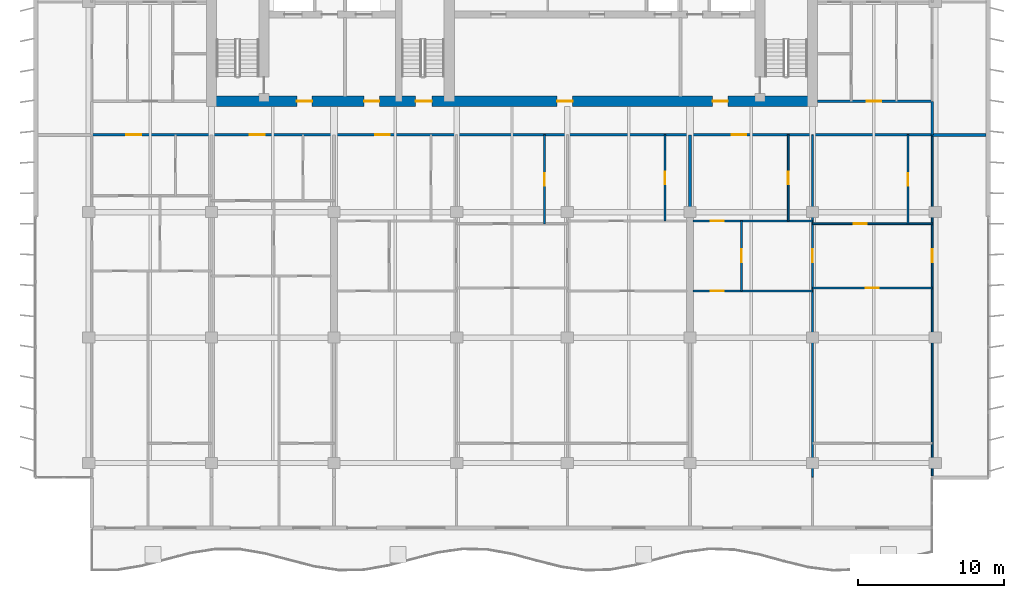
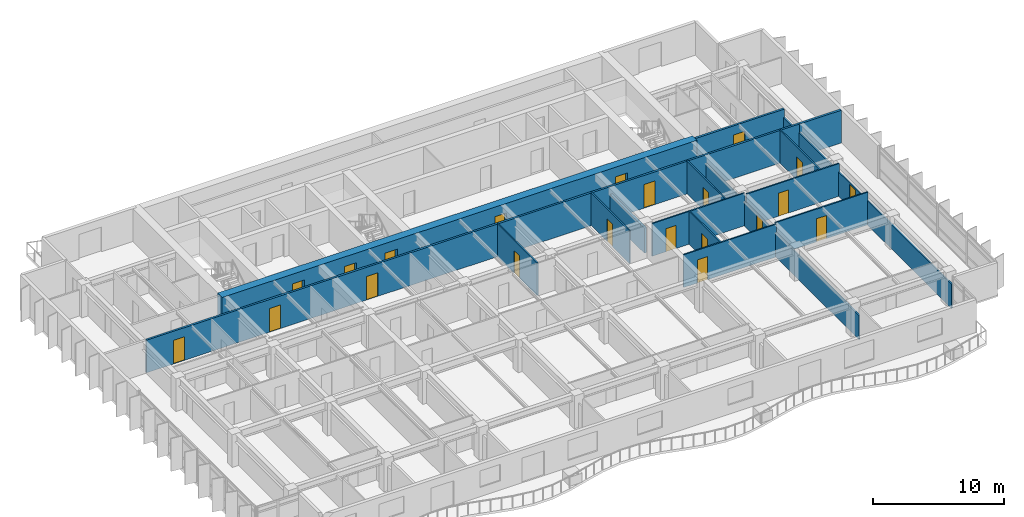
# One storey, part 9 of 16: 21 doors, 17 walls, 21 openings.
"""IFC4 building model written with IfcOpenShell, lengths in metres."""

from ifc_helpers import new_model, si_unit, direction, frame, frame_2d, origin, place, context, subcontext, project, spatial, rectangle, extrude, material, layer, layer_set, type_object, element, fill, save


model = new_model("IFC4")

# Units and contexts
model_context = context("Model", 3, precision=1e-05, world=origin(), true_north=direction((0.0, 1.0)))
body_context = subcontext(model_context, "Body", "Model", "MODEL_VIEW")
ifc_project = project(units=[si_unit("LENGTHUNIT", "METRE"), si_unit("AREAUNIT", "SQUARE_METRE"), si_unit("VOLUMEUNIT", "CUBIC_METRE"), si_unit("PLANEANGLEUNIT", "RADIAN"), si_unit("MASSUNIT", "GRAM", prefix="KILO")], contexts=[model_context])

# Site, building, storey
site_placement = place(None, origin())
site = spatial("IfcSite", under=ifc_project, at=site_placement, CompositionType="ELEMENT")
building_placement = place(site_placement, origin())
building = spatial("IfcBuilding", under=site, at=building_placement, Name="Caelmar Bay Residences", CompositionType="ELEMENT")
storey_placement = place(building_placement, frame((0.0, 0.0, 198.300048828125)))
storey = spatial("IfcBuildingStorey", under=building, at=storey_placement, Name="L55", CompositionType="ELEMENT", Elevation=198.300048828125)

# Wall, openings, doors
ifc_material_1 = material(Name="Concrete f'c 55 MPa (8,000 psi)", Category="concrete")
ifc_layer_1 = layer(ifc_material_1, 0.699951171875)
ifc_layer_set_1 = layer_set([ifc_layer_1], Name="Concrete f'c 55 MPa (8,000 psi)")
wall_type_1 = type_object("IfcWallType", Name="SW-COR-700", PredefinedType="SHEAR", material=ifc_layer_set_1)
wall_1_placement = place(storey_placement, frame((17.949951171875, 37.0, 0.0), z_axis=(0.0, 0.0, 1.0), x_axis=(1.0, 0.0, 0.0)))
wall_1 = element("IfcWall", 1, at=wall_1_placement, inside=storey, type_object=wall_type_1, Name="L55 Rear Core South Shear Wall", PredefinedType="SHEAR", context=body_context, shape_type="SweptSolid", body=[
    extrude(rectangle(XDim=41.900146484375, YDim=0.699951171875, at=frame_2d((20.9501953125, 0.0))), origin(), (0.0, 0.0, 1.0), 3.050048828125),
])
opening_1_placement = place(wall_1_placement, frame((14.35009765625, 0.0, 0.0)))
opening_1 = element("IfcOpeningElement", 2, at=opening_1_placement, cuts=wall_1, Name="Opening D-L55-105", PredefinedType="OPENING", context=body_context, shape_type="SweptSolid", body=[
    extrude(rectangle(XDim=1.10009765625, YDim=2.14990234375, at=frame_2d((0.550048828125, 1.074951171875))), frame((0.0, 0.35986328125, 0.0), z_axis=(0.0, -1.0, 0.0), x_axis=(1.0, 0.0, 0.0)), (0.0, 0.0, 1.0), 0.719970703125),
])
opening_2_placement = place(wall_1_placement, frame((6.199951171875, 0.0, 0.0)))
opening_2 = element("IfcOpeningElement", 3, at=opening_2_placement, cuts=wall_1, Name="Opening D-L55-106", PredefinedType="OPENING", context=body_context, shape_type="SweptSolid", body=[
    extrude(rectangle(XDim=1.050048828125, YDim=2.14990234375, at=frame_2d((0.52490234375, 1.074951171875))), frame((0.0, 0.35986328125, 0.0), z_axis=(0.0, -1.0, 0.0), x_axis=(1.0, 0.0, 0.0)), (0.0, 0.0, 1.0), 0.719970703125),
])
opening_3_placement = place(wall_1_placement, frame((34.699951171875, 0.0, 0.0)))
opening_3 = element("IfcOpeningElement", 4, at=opening_3_placement, cuts=wall_1, Name="Opening D-L55-109", PredefinedType="OPENING", context=body_context, shape_type="SweptSolid", body=[
    extrude(rectangle(XDim=1.050048828125, YDim=2.14990234375, at=frame_2d((0.52490234375, 1.074951171875))), frame((0.0, 0.35986328125, 0.0), z_axis=(0.0, -1.0, 0.0), x_axis=(1.0, 0.0, 0.0)), (0.0, 0.0, 1.0), 0.719970703125),
])
opening_4_placement = place(wall_1_placement, frame((10.8125, 0.0, 0.0)))
opening_4 = element("IfcOpeningElement", 5, at=opening_4_placement, cuts=wall_1, Name="Opening D-L55-112", PredefinedType="OPENING", context=body_context, shape_type="SweptSolid", body=[
    extrude(rectangle(XDim=1.050048828125, YDim=2.14990234375, at=frame_2d((0.52490234375, 1.074951171875))), frame((0.0, 0.35986328125, 0.0), z_axis=(0.0, -1.0, 0.0), x_axis=(1.0, 0.0, 0.0)), (0.0, 0.0, 1.0), 0.719970703125),
])
opening_5_placement = place(wall_1_placement, frame((24.050048828125, 0.0, 0.0)))
opening_5 = element("IfcOpeningElement", 6, at=opening_5_placement, cuts=wall_1, Name="Opening D-L55-113", PredefinedType="OPENING", context=body_context, shape_type="SweptSolid", body=[
    extrude(rectangle(XDim=1.050048828125, YDim=2.14990234375, at=frame_2d((0.52490234375, 1.074951171875))), frame((0.0, 0.35986328125, 0.0), z_axis=(0.0, -1.0, 0.0), x_axis=(1.0, 0.0, 0.0)), (0.0, 0.0, 1.0), 0.719970703125),
])
ifc_material_2 = material(Name="Fire-rated steel and walnut architectural door assembly", Category="steel")
ifc_layer_2 = layer(ifc_material_2, 0.050048828125)
ifc_layer_set_2 = layer_set([ifc_layer_2], Name="Fire-rated steel and walnut architectural door assembly")
door_type_1 = type_object("IfcDoorType", Name="D-FSAE-1050", OperationType="NOTDEFINED", PredefinedType="DOOR", material=ifc_layer_set_2)
door_1_placement = place(opening_2_placement, origin())
door_1 = element("IfcDoor", 7, at=door_1_placement, inside=storey, type_object=door_type_1, Name="L55 Firefighting Lobby West Door", OperationType="SINGLE_SWING_RIGHT", OverallHeight=2.14990234375, OverallWidth=1.050048828125, PredefinedType="DOOR", context=body_context, shape_type="SweptSolid", body=[
    extrude(rectangle(XDim=1.050048828125, YDim=2.14990234375, at=frame_2d((0.52490234375, 1.074951171875))), frame((0.0, 0.02490234375, 0.0), z_axis=(0.0, -1.0, 0.0), x_axis=(1.0, 0.0, 0.0)), (0.0, 0.0, 1.0), 0.050048828125),
])
fill(opening_2, door_1)
door_2_placement = place(opening_3_placement, origin())
door_2 = element("IfcDoor", 8, at=door_2_placement, inside=storey, type_object=door_type_1, Name="L55 Firefighting Lobby East Door", OperationType="SINGLE_SWING_LEFT", OverallHeight=2.14990234375, OverallWidth=1.050048828125, PredefinedType="DOOR", context=body_context, shape_type="SweptSolid", body=[
    extrude(rectangle(XDim=1.050048828125, YDim=2.14990234375, at=frame_2d((0.52490234375, 1.074951171875))), frame((0.0, 0.02490234375, 0.0), z_axis=(0.0, -1.0, 0.0), x_axis=(1.0, 0.0, 0.0)), (0.0, 0.0, 1.0), 0.050048828125),
])
fill(opening_3, door_2)
door_3_placement = place(opening_4_placement, origin())
door_3 = element("IfcDoor", 9, at=door_3_placement, inside=storey, type_object=door_type_1, Name="L55 West Lift Lobby Door", OperationType="SINGLE_SWING_RIGHT", OverallHeight=2.14990234375, OverallWidth=1.050048828125, PredefinedType="DOOR", context=body_context, shape_type="SweptSolid", body=[
    extrude(rectangle(XDim=1.050048828125, YDim=2.14990234375, at=frame_2d((0.52490234375, 1.074951171875))), frame((0.0, 0.02490234375, 0.0), z_axis=(0.0, -1.0, 0.0), x_axis=(1.0, 0.0, 0.0)), (0.0, 0.0, 1.0), 0.050048828125),
])
fill(opening_4, door_3)
door_4_placement = place(opening_5_placement, origin())
door_4 = element("IfcDoor", 10, at=door_4_placement, inside=storey, type_object=door_type_1, Name="L55 Passenger Lift Lobby Door", OperationType="SINGLE_SWING_LEFT", OverallHeight=2.14990234375, OverallWidth=1.050048828125, PredefinedType="DOOR", context=body_context, shape_type="SweptSolid", body=[
    extrude(rectangle(XDim=1.050048828125, YDim=2.14990234375, at=frame_2d((0.52490234375, 1.074951171875))), frame((0.0, 0.02490234375, 0.0), z_axis=(0.0, -1.0, 0.0), x_axis=(1.0, 0.0, 0.0)), (0.0, 0.0, 1.0), 0.050048828125),
])
fill(opening_5, door_4)
ifc_layer_3 = layer(ifc_material_2, 0.050048828125)
ifc_layer_set_3 = layer_set([ifc_layer_3], Name="Fire-rated steel and walnut architectural door assembly")
door_type_2 = type_object("IfcDoorType", Name="D-STAIR-1100", OperationType="NOTDEFINED", PredefinedType="DOOR", material=ifc_layer_set_3)
door_5_placement = place(opening_1_placement, origin())
door_5 = element("IfcDoor", 11, at=door_5_placement, inside=storey, type_object=door_type_2, Name="L55 Exit Stair ST3 Door", OperationType="SINGLE_SWING_LEFT", OverallHeight=2.14990234375, OverallWidth=1.10009765625, PredefinedType="DOOR", context=body_context, shape_type="SweptSolid", body=[
    extrude(rectangle(XDim=1.10009765625, YDim=2.14990234375, at=frame_2d((0.550048828125, 1.074951171875))), frame((0.0, 0.02490234375, 0.0), z_axis=(0.0, -1.0, 0.0), x_axis=(1.0, 0.0, 0.0)), (0.0, 0.0, 1.0), 0.050048828125),
])
fill(opening_1, door_5)

# Wall
ifc_material_3 = material(Name="Double-stud acoustic fire-rated gypsum partition 180 mm")
ifc_layer_4 = layer(ifc_material_3, 0.179931640625)
ifc_layer_set_4 = layer_set([ifc_layer_4], Name="Double-stud acoustic fire-rated gypsum partition 180 mm")
wall_type_2 = type_object("IfcWallType", Name="W-COR-200", PredefinedType="PARTITIONING", material=ifc_layer_set_4)
wall_2_placement = place(storey_placement, frame((67.699951171875, 34.705078125, 0.0), z_axis=(0.0, 0.0, 1.0), x_axis=(0.0, 1.0, 0.0)))
element("IfcWall", 12, at=wall_2_placement, inside=storey, type_object=wall_type_2, Name="L55 Partition Wall V050", PredefinedType="PARTITIONING", context=body_context, shape_type="SweptSolid", body=[
    extrude(rectangle(XDim=2.294921875, YDim=0.179931640625, at=frame_2d((1.1474609375, 0.0))), origin(), (0.0, 0.0, 1.0), 2.262939453125),
])

# Wall, openings, doors
wall_3_placement = place(storey_placement, frame((10.10498046875, 34.699951171875, 0.0), z_axis=(0.0, 0.0, 1.0), x_axis=(1.0, 0.0, 0.0)))
wall_3 = element("IfcWall", 13, at=wall_3_placement, inside=storey, type_object=wall_type_2, Name="L55 Partition Wall H072", PredefinedType="PARTITIONING", context=body_context, shape_type="SweptSolid", body=[
    extrude(rectangle(XDim=57.594970703125, YDim=0.179931640625, at=frame_2d((28.79736328125, 0.0))), origin(), (0.0, 0.0, 1.0), 3.050048828125),
])
opening_6_placement = place(wall_3_placement, frame((2.365478515625, 0.0, 0.0)))
opening_6 = element("IfcOpeningElement", 14, at=opening_6_placement, cuts=wall_3, Name="Opening D-L55-120", PredefinedType="OPENING", context=body_context, shape_type="SweptSolid", body=[
    extrude(rectangle(XDim=1.0, YDim=2.199951171875, at=frame_2d((0.5, 1.10009765625))), frame((0.0, 0.099853515625, 0.0), z_axis=(0.0, -1.0, 0.0), x_axis=(1.0, 0.0, 0.0)), (0.0, 0.0, 1.0), 0.199951171875),
])
opening_7_placement = place(wall_3_placement, frame((10.8330078125, 0.0, 0.0)))
opening_7 = element("IfcOpeningElement", 15, at=opening_7_placement, cuts=wall_3, Name="Opening D-L55-127", PredefinedType="OPENING", context=body_context, shape_type="SweptSolid", body=[
    extrude(rectangle(XDim=1.0, YDim=2.199951171875, at=frame_2d((0.5, 1.10009765625))), frame((0.0, 0.099853515625, 0.0), z_axis=(0.0, -1.0, 0.0), x_axis=(1.0, 0.0, 0.0)), (0.0, 0.0, 1.0), 0.199951171875),
])
opening_8_placement = place(wall_3_placement, frame((19.422119140625, 0.0, 0.0)))
opening_8 = element("IfcOpeningElement", 16, at=opening_8_placement, cuts=wall_3, Name="Opening D-L55-134", PredefinedType="OPENING", context=body_context, shape_type="SweptSolid", body=[
    extrude(rectangle(XDim=1.0, YDim=2.199951171875, at=frame_2d((0.5, 1.10009765625))), frame((0.0, 0.099853515625, 0.0), z_axis=(0.0, -1.0, 0.0), x_axis=(1.0, 0.0, 0.0)), (0.0, 0.0, 1.0), 0.199951171875),
])
opening_9_placement = place(wall_3_placement, frame((43.864501953125, 0.0, 0.0)))
opening_9 = element("IfcOpeningElement", 17, at=opening_9_placement, cuts=wall_3, Name="Opening D-L55-149", PredefinedType="OPENING", context=body_context, shape_type="SweptSolid", body=[
    extrude(rectangle(XDim=1.0, YDim=2.199951171875, at=frame_2d((0.5, 1.10009765625))), frame((0.0, 0.099853515625, 0.0), z_axis=(0.0, -1.0, 0.0), x_axis=(1.0, 0.0, 0.0)), (0.0, 0.0, 1.0), 0.199951171875),
])
ifc_layer_5 = layer(ifc_material_2, 0.050048828125)
ifc_layer_set_5 = layer_set([ifc_layer_5], Name="Fire-rated steel and walnut architectural door assembly")
door_type_3 = type_object("IfcDoorType", Name="D-UNIT-1000", OperationType="NOTDEFINED", PredefinedType="DOOR", material=ifc_layer_set_5)
door_6_placement = place(opening_6_placement, origin())
door_6 = element("IfcDoor", 18, at=door_6_placement, inside=storey, type_object=door_type_3, Name="L55 Residence 01 Apartment Hall Door", OperationType="SINGLE_SWING_RIGHT", OverallHeight=2.199951171875, OverallWidth=1.0, PredefinedType="DOOR", context=body_context, shape_type="SweptSolid", body=[
    extrude(rectangle(XDim=1.0, YDim=2.199951171875, at=frame_2d((0.5, 1.10009765625))), frame((0.0, 0.02490234375, 0.0), z_axis=(0.0, -1.0, 0.0), x_axis=(1.0, 0.0, 0.0)), (0.0, 0.0, 1.0), 0.050048828125),
])
fill(opening_6, door_6)
door_7_placement = place(opening_7_placement, origin())
door_7 = element("IfcDoor", 19, at=door_7_placement, inside=storey, type_object=door_type_3, Name="L55 Residence 02 Apartment Hall Door", OperationType="SINGLE_SWING_LEFT", OverallHeight=2.199951171875, OverallWidth=1.0, PredefinedType="DOOR", context=body_context, shape_type="SweptSolid", body=[
    extrude(rectangle(XDim=1.0, YDim=2.199951171875, at=frame_2d((0.5, 1.10009765625))), frame((0.0, 0.02490234375, 0.0), z_axis=(0.0, -1.0, 0.0), x_axis=(1.0, 0.0, 0.0)), (0.0, 0.0, 1.0), 0.050048828125),
])
fill(opening_7, door_7)
door_8_placement = place(opening_8_placement, origin())
door_8 = element("IfcDoor", 20, at=door_8_placement, inside=storey, type_object=door_type_3, Name="L55 Residence 03 Apartment Hall Door", OperationType="SINGLE_SWING_RIGHT", OverallHeight=2.199951171875, OverallWidth=1.0, PredefinedType="DOOR", context=body_context, shape_type="SweptSolid", body=[
    extrude(rectangle(XDim=1.0, YDim=2.199951171875, at=frame_2d((0.5, 1.10009765625))), frame((0.0, 0.02490234375, 0.0), z_axis=(0.0, -1.0, 0.0), x_axis=(1.0, 0.0, 0.0)), (0.0, 0.0, 1.0), 0.050048828125),
])
fill(opening_8, door_8)
door_9_placement = place(opening_9_placement, origin())
door_9 = element("IfcDoor", 21, at=door_9_placement, inside=storey, type_object=door_type_3, Name="L55 Residence 04 Apartment Hall Door", OperationType="SINGLE_SWING_LEFT", OverallHeight=2.199951171875, OverallWidth=1.0, PredefinedType="DOOR", context=body_context, shape_type="SweptSolid", body=[
    extrude(rectangle(XDim=1.0, YDim=2.199951171875, at=frame_2d((0.5, 1.10009765625))), frame((0.0, 0.02490234375, 0.0), z_axis=(0.0, -1.0, 0.0), x_axis=(1.0, 0.0, 0.0)), (0.0, 0.0, 1.0), 0.050048828125),
])
fill(opening_9, door_9)

# Wall, opening, door
wall_4_placement = place(storey_placement, frame((59.85498046875, 37.0, 0.0), z_axis=(0.0, 0.0, 1.0), x_axis=(1.0, 0.0, 0.0)))
wall_4 = element("IfcWall", 22, at=wall_4_placement, inside=storey, type_object=wall_type_2, Name="L55 Partition Wall H075", PredefinedType="PARTITIONING", context=body_context, shape_type="SweptSolid", body=[
    extrude(rectangle(XDim=7.844970703125, YDim=0.179931640625, at=frame_2d((3.92236328125, 0.0))), origin(), (0.0, 0.0, 1.0), 3.050048828125),
])
opening_10_placement = place(wall_4_placement, frame((3.34912109375, 0.0, 0.0)))
opening_10 = element("IfcOpeningElement", 23, at=opening_10_placement, cuts=wall_4, Name="Opening D-L55-169", PredefinedType="OPENING", context=body_context, shape_type="SweptSolid", body=[
    extrude(rectangle(XDim=1.0, YDim=2.199951171875, at=frame_2d((0.5, 1.10009765625))), frame((0.0, 0.099853515625, 0.0), z_axis=(0.0, -1.0, 0.0), x_axis=(1.0, 0.0, 0.0)), (0.0, 0.0, 1.0), 0.199951171875),
])
door_10_placement = place(opening_10_placement, origin())
door_10 = element("IfcDoor", 24, at=door_10_placement, inside=storey, type_object=door_type_3, Name="L55 Residence EA Kitchen Door", OperationType="SINGLE_SWING_LEFT", OverallHeight=2.199951171875, OverallWidth=1.0, PredefinedType="DOOR", context=body_context, shape_type="SweptSolid", body=[
    extrude(rectangle(XDim=1.0, YDim=2.199951171875, at=frame_2d((0.5, 1.10009765625))), frame((0.0, 0.02490234375, 0.0), z_axis=(0.0, -1.0, 0.0), x_axis=(1.0, 0.0, 0.0)), (0.0, 0.0, 1.0), 0.050048828125),
])
fill(opening_10, door_10)

ifc_material_4 = material(Name="Acoustic metal-stud gypsum partition 120 mm")
ifc_layer_6 = layer(ifc_material_4, 0.1201171875)
ifc_layer_set_6 = layer_set([ifc_layer_6], Name="Acoustic metal-stud gypsum partition 120 mm")
wall_type_3 = type_object("IfcWallType", Name="W-PRT-120", PredefinedType="PARTITIONING", material=ifc_layer_set_6)
wall_5_placement = place(storey_placement, frame((41.1259765625, 28.60009765625, 0.0), z_axis=(0.0, 0.0, 1.0), x_axis=(0.0, 1.0, 0.0)))
wall_5 = element("IfcWall", 25, at=wall_5_placement, inside=storey, type_object=wall_type_3, Name="L55 Partition Wall V029", PredefinedType="PARTITIONING", context=body_context, shape_type="SweptSolid", body=[
    extrude(rectangle(XDim=6.099853515625, YDim=0.1201171875, at=frame_2d((3.0498046875, 0.0))), origin(), (0.0, 0.0, 1.0), 3.050048828125),
])
opening_11_placement = place(wall_5_placement, frame((2.625, 0.0, 0.0)))
opening_11 = element("IfcOpeningElement", 26, at=opening_11_placement, cuts=wall_5, Name="Opening D-L55-141", PredefinedType="OPENING", context=body_context, shape_type="SweptSolid", body=[
    extrude(rectangle(XDim=0.85009765625, YDim=2.10009765625, at=frame_2d((0.425048828125, 1.050048828125))), frame((0.0, 0.070068359375, 0.0), z_axis=(0.0, -1.0, 0.0), x_axis=(1.0, 0.0, 0.0)), (0.0, 0.0, 1.0), 0.14013671875),
])
ifc_material_5 = material(Name="Solid walnut timber interior door leaf and frame", Category="wood")
ifc_layer_7 = layer(ifc_material_5, 0.050048828125)
ifc_layer_set_7 = layer_set([ifc_layer_7], Name="Solid walnut timber interior door leaf and frame")
door_type_4 = type_object("IfcDoorType", Name="D-BATH-850", OperationType="NOTDEFINED", PredefinedType="DOOR", material=ifc_layer_set_7)
door_11_placement = place(opening_11_placement, origin())
door_11 = element("IfcDoor", 27, at=door_11_placement, inside=storey, type_object=door_type_4, Name="L55 Residence 03 En-Suite Bathroom 1 Door", OperationType="SINGLE_SWING_LEFT", OverallHeight=2.10009765625, OverallWidth=0.85009765625, PredefinedType="DOOR", context=body_context, shape_type="SweptSolid", body=[
    extrude(rectangle(XDim=0.85009765625, YDim=2.10009765625, at=frame_2d((0.425048828125, 1.050048828125))), frame((0.0, 0.02490234375, 0.0), z_axis=(0.0, -1.0, 0.0), x_axis=(1.0, 0.0, 0.0)), (0.0, 0.0, 1.0), 0.050048828125),
])
fill(opening_11, door_11)

wall_6_placement = place(storey_placement, frame((49.387939453125, 28.800048828125, 0.0), z_axis=(0.0, 0.0, 1.0), x_axis=(0.0, 1.0, 0.0)))
wall_6 = element("IfcWall", 28, at=wall_6_placement, inside=storey, type_object=wall_type_3, Name="L55 Partition Wall V034", PredefinedType="PARTITIONING", context=body_context, shape_type="SweptSolid", body=[
    extrude(rectangle(XDim=5.89990234375, YDim=0.1201171875, at=frame_2d((2.949951171875, 0.0))), origin(), (0.0, 0.0, 1.0), 3.050048828125),
])
opening_12_placement = place(wall_6_placement, frame((2.52490234375, 0.0, 0.0)))
opening_12 = element("IfcOpeningElement", 29, at=opening_12_placement, cuts=wall_6, Name="Opening D-L55-146", PredefinedType="OPENING", context=body_context, shape_type="SweptSolid", body=[
    extrude(rectangle(XDim=0.85009765625, YDim=2.10009765625, at=frame_2d((0.425048828125, 1.050048828125))), frame((0.0, 0.070068359375, 0.0), z_axis=(0.0, -1.0, 0.0), x_axis=(1.0, 0.0, 0.0)), (0.0, 0.0, 1.0), 0.14013671875),
])
door_12_placement = place(opening_12_placement, origin())
door_12 = element("IfcDoor", 30, at=door_12_placement, inside=storey, type_object=door_type_4, Name="L55 Residence 03 En-Suite Bathroom 2 Door", OperationType="SINGLE_SWING_RIGHT", OverallHeight=2.10009765625, OverallWidth=0.85009765625, PredefinedType="DOOR", context=body_context, shape_type="SweptSolid", body=[
    extrude(rectangle(XDim=0.85009765625, YDim=2.10009765625, at=frame_2d((0.425048828125, 1.050048828125))), frame((0.0, 0.02490234375, 0.0), z_axis=(0.0, -1.0, 0.0), x_axis=(1.0, 0.0, 0.0)), (0.0, 0.0, 1.0), 0.050048828125),
])
fill(opening_12, door_12)

wall_7_placement = place(storey_placement, frame((54.6279296875, 24.0, 0.0), z_axis=(0.0, 0.0, 1.0), x_axis=(0.0, 1.0, 0.0)))
wall_7 = element("IfcWall", 31, at=wall_7_placement, inside=storey, type_object=wall_type_3, Name="L55 Partition Wall V041", PredefinedType="PARTITIONING", context=body_context, shape_type="SweptSolid", body=[
    extrude(rectangle(XDim=4.800048828125, YDim=0.1201171875, at=frame_2d((2.39990234375, 0.0))), origin(), (0.0, 0.0, 1.0), 3.050048828125),
])
opening_13_placement = place(wall_7_placement, frame((1.949951171875, 0.0, 0.0)))
opening_13 = element("IfcOpeningElement", 32, at=opening_13_placement, cuts=wall_7, Name="Opening D-L55-152", PredefinedType="OPENING", context=body_context, shape_type="SweptSolid", body=[
    extrude(rectangle(XDim=0.89990234375, YDim=2.14990234375, at=frame_2d((0.449951171875, 1.074951171875))), frame((0.0, 0.070068359375, 0.0), z_axis=(0.0, -1.0, 0.0), x_axis=(1.0, 0.0, 0.0)), (0.0, 0.0, 1.0), 0.14013671875),
])
ifc_layer_8 = layer(ifc_material_5, 0.050048828125)
ifc_layer_set_8 = layer_set([ifc_layer_8], Name="Solid walnut timber interior door leaf and frame")
door_type_5 = type_object("IfcDoorType", Name="D-ROOM-900", OperationType="NOTDEFINED", PredefinedType="DOOR", material=ifc_layer_set_8)
door_13_placement = place(opening_13_placement, origin())
door_13 = element("IfcDoor", 33, at=door_13_placement, inside=storey, type_object=door_type_5, Name="L55 Residence 04 Kitchen Door", OperationType="SINGLE_SWING_RIGHT", OverallHeight=2.14990234375, OverallWidth=0.89990234375, PredefinedType="DOOR", context=body_context, shape_type="SweptSolid", body=[
    extrude(rectangle(XDim=0.89990234375, YDim=2.14990234375, at=frame_2d((0.449951171875, 1.074951171875))), frame((0.0, 0.02490234375, 0.0), z_axis=(0.0, -1.0, 0.0), x_axis=(1.0, 0.0, 0.0)), (0.0, 0.0, 1.0), 0.050048828125),
])
fill(opening_13, door_13)

wall_8_placement = place(storey_placement, frame((57.839111328125, 28.800048828125, 0.0), z_axis=(0.0, 0.0, 1.0), x_axis=(0.0, 1.0, 0.0)))
wall_8 = element("IfcWall", 34, at=wall_8_placement, inside=storey, type_object=wall_type_3, Name="L55 Partition Wall V043", PredefinedType="PARTITIONING", context=body_context, shape_type="SweptSolid", body=[
    extrude(rectangle(XDim=5.89990234375, YDim=0.1201171875, at=frame_2d((2.949951171875, 0.0))), origin(), (0.0, 0.0, 1.0), 3.050048828125),
])
opening_14_placement = place(wall_8_placement, frame((2.52490234375, 0.0, 0.0)))
opening_14 = element("IfcOpeningElement", 35, at=opening_14_placement, cuts=wall_8, Name="Opening D-L55-150", PredefinedType="OPENING", context=body_context, shape_type="SweptSolid", body=[
    extrude(rectangle(XDim=0.85009765625, YDim=2.10009765625, at=frame_2d((0.425048828125, 1.050048828125))), frame((0.0, 0.070068359375, 0.0), z_axis=(0.0, -1.0, 0.0), x_axis=(1.0, 0.0, 0.0)), (0.0, 0.0, 1.0), 0.14013671875),
])
door_14_placement = place(opening_14_placement, origin())
door_14 = element("IfcDoor", 36, at=door_14_placement, inside=storey, type_object=door_type_4, Name="L55 Residence 04 Guest Bathroom Door", OperationType="SINGLE_SWING_RIGHT", OverallHeight=2.10009765625, OverallWidth=0.85009765625, PredefinedType="DOOR", context=body_context, shape_type="SweptSolid", body=[
    extrude(rectangle(XDim=0.85009765625, YDim=2.10009765625, at=frame_2d((0.425048828125, 1.050048828125))), frame((0.0, 0.02490234375, 0.0), z_axis=(0.0, -1.0, 0.0), x_axis=(1.0, 0.0, 0.0)), (0.0, 0.0, 1.0), 0.050048828125),
])
fill(opening_14, door_14)

wall_9_placement = place(storey_placement, frame((59.5, 11.239990234375, 0.0), z_axis=(0.0, 0.0, 1.0), x_axis=(0.0, 1.0, 0.0)))
wall_9 = element("IfcWall", 37, at=wall_9_placement, inside=storey, type_object=wall_type_3, Name="L55 Partition Wall V045", PredefinedType="PARTITIONING", context=body_context, shape_type="SweptSolid", body=[
    extrude(rectangle(XDim=23.4599609375, YDim=0.1201171875, at=frame_2d((11.72998046875, 0.0))), origin(), (0.0, 0.0, 1.0), 2.262939453125),
])
opening_15_placement = place(wall_9_placement, frame((14.7099609375, 0.0, 0.0)))
opening_15 = element("IfcOpeningElement", 38, at=opening_15_placement, cuts=wall_9, Name="Opening D-L55-154", PredefinedType="OPENING", context=body_context, shape_type="SweptSolid", body=[
    extrude(rectangle(XDim=0.89990234375, YDim=2.14990234375, at=frame_2d((0.449951171875, 1.074951171875))), frame((0.0, 0.070068359375, 0.0), z_axis=(0.0, -1.0, 0.0), x_axis=(1.0, 0.0, 0.0)), (0.0, 0.0, 1.0), 0.14013671875),
])
door_15_placement = place(opening_15_placement, origin())
door_15 = element("IfcDoor", 39, at=door_15_placement, inside=storey, type_object=door_type_5, Name="L55 Residence 04 Family Room 1 Door", OperationType="SINGLE_SWING_RIGHT", OverallHeight=2.14990234375, OverallWidth=0.89990234375, PredefinedType="DOOR", context=body_context, shape_type="SweptSolid", body=[
    extrude(rectangle(XDim=0.89990234375, YDim=2.14990234375, at=frame_2d((0.449951171875, 1.074951171875))), frame((0.0, 0.02490234375, 0.0), z_axis=(0.0, -1.0, 0.0), x_axis=(1.0, 0.0, 0.0)), (0.0, 0.0, 1.0), 0.050048828125),
])
fill(opening_15, door_15)

wall_10_placement = place(storey_placement, frame((66.0439453125, 28.60009765625, 0.0), z_axis=(0.0, 0.0, 1.0), x_axis=(0.0, 1.0, 0.0)))
wall_10 = element("IfcWall", 40, at=wall_10_placement, inside=storey, type_object=wall_type_3, Name="L55 Partition Wall V048", PredefinedType="PARTITIONING", context=body_context, shape_type="SweptSolid", body=[
    extrude(rectangle(XDim=6.099853515625, YDim=0.1201171875, at=frame_2d((3.0498046875, 0.0))), origin(), (0.0, 0.0, 1.0), 3.050048828125),
])
opening_16_placement = place(wall_10_placement, frame((2.625, 0.0, 0.0)))
opening_16 = element("IfcOpeningElement", 41, at=opening_16_placement, cuts=wall_10, Name="Opening D-L55-156", PredefinedType="OPENING", context=body_context, shape_type="SweptSolid", body=[
    extrude(rectangle(XDim=0.85009765625, YDim=2.10009765625, at=frame_2d((0.425048828125, 1.050048828125))), frame((0.0, 0.070068359375, 0.0), z_axis=(0.0, -1.0, 0.0), x_axis=(1.0, 0.0, 0.0)), (0.0, 0.0, 1.0), 0.14013671875),
])
door_16_placement = place(opening_16_placement, origin())
door_16 = element("IfcDoor", 42, at=door_16_placement, inside=storey, type_object=door_type_4, Name="L55 Residence 04 En-Suite Bathroom 1 Door", OperationType="SINGLE_SWING_RIGHT", OverallHeight=2.10009765625, OverallWidth=0.85009765625, PredefinedType="DOOR", context=body_context, shape_type="SweptSolid", body=[
    extrude(rectangle(XDim=0.85009765625, YDim=2.10009765625, at=frame_2d((0.425048828125, 1.050048828125))), frame((0.0, 0.02490234375, 0.0), z_axis=(0.0, -1.0, 0.0), x_axis=(1.0, 0.0, 0.0)), (0.0, 0.0, 1.0), 0.050048828125),
])
fill(opening_16, door_16)

wall_11_placement = place(storey_placement, frame((67.699951171875, 11.320068359375, 0.0), z_axis=(0.0, 0.0, 1.0), x_axis=(0.0, 1.0, 0.0)))
wall_11 = element("IfcWall", 43, at=wall_11_placement, inside=storey, type_object=wall_type_3, Name="L55 Partition Wall V049", PredefinedType="PARTITIONING", context=body_context, shape_type="SweptSolid", body=[
    extrude(rectangle(XDim=23.3798828125, YDim=0.1201171875, at=frame_2d((11.68994140625, 0.0))), origin(), (0.0, 0.0, 1.0), 2.262939453125),
])
opening_17_placement = place(wall_11_placement, frame((14.6298828125, 0.0, 0.0)))
opening_17 = element("IfcOpeningElement", 44, at=opening_17_placement, cuts=wall_11, Name="Opening D-L55-160", PredefinedType="OPENING", context=body_context, shape_type="SweptSolid", body=[
    extrude(rectangle(XDim=0.89990234375, YDim=2.14990234375, at=frame_2d((0.449951171875, 1.074951171875))), frame((0.0, 0.070068359375, 0.0), z_axis=(0.0, -1.0, 0.0), x_axis=(1.0, 0.0, 0.0)), (0.0, 0.0, 1.0), 0.14013671875),
])
door_17_placement = place(opening_17_placement, origin())
door_17 = element("IfcDoor", 45, at=door_17_placement, inside=storey, type_object=door_type_5, Name="L55 Residence 04 Penthouse East Salon Door", OperationType="SINGLE_SWING_RIGHT", OverallHeight=2.14990234375, OverallWidth=0.89990234375, PredefinedType="DOOR", context=body_context, shape_type="SweptSolid", body=[
    extrude(rectangle(XDim=0.89990234375, YDim=2.14990234375, at=frame_2d((0.449951171875, 1.074951171875))), frame((0.0, 0.02490234375, 0.0), z_axis=(0.0, -1.0, 0.0), x_axis=(1.0, 0.0, 0.0)), (0.0, 0.0, 1.0), 0.050048828125),
])
fill(opening_17, door_17)

wall_12_placement = place(storey_placement, frame((51.320068359375, 24.0, 0.0), z_axis=(0.0, 0.0, 1.0), x_axis=(1.0, 0.0, 0.0)))
wall_12 = element("IfcWall", 46, at=wall_12_placement, inside=storey, type_object=wall_type_3, Name="L55 Partition Wall H059", PredefinedType="PARTITIONING", context=body_context, shape_type="SweptSolid", body=[
    extrude(rectangle(XDim=8.179931640625, YDim=0.1201171875, at=frame_2d((4.08984375, 0.0))), origin(), (0.0, 0.0, 1.0), 3.050048828125),
])
opening_18_placement = place(wall_12_placement, frame((1.2041015625, 0.0, 0.0)))
opening_18 = element("IfcOpeningElement", 47, at=opening_18_placement, cuts=wall_12, Name="Opening D-L55-153", PredefinedType="OPENING", context=body_context, shape_type="SweptSolid", body=[
    extrude(rectangle(XDim=0.89990234375, YDim=2.14990234375, at=frame_2d((0.449951171875, 1.074951171875))), frame((0.0, 0.070068359375, 0.0), z_axis=(0.0, -1.0, 0.0), x_axis=(1.0, 0.0, 0.0)), (0.0, 0.0, 1.0), 0.14013671875),
])
door_18_placement = place(opening_18_placement, origin())
door_18 = element("IfcDoor", 48, at=door_18_placement, inside=storey, type_object=door_type_5, Name="L55 Residence 04 Penthouse Living Salon Door", OperationType="SINGLE_SWING_LEFT", OverallHeight=2.14990234375, OverallWidth=0.89990234375, PredefinedType="DOOR", context=body_context, shape_type="SweptSolid", body=[
    extrude(rectangle(XDim=0.89990234375, YDim=2.14990234375, at=frame_2d((0.449951171875, 1.074951171875))), frame((0.0, 0.02490234375, 0.0), z_axis=(0.0, -1.0, 0.0), x_axis=(1.0, 0.0, 0.0)), (0.0, 0.0, 1.0), 0.050048828125),
])
fill(opening_18, door_18)

wall_13_placement = place(storey_placement, frame((59.5048828125, 24.199951171875, 0.0), z_axis=(0.0, 0.0, 1.0), x_axis=(1.0, 0.0, 0.0)))
wall_13 = element("IfcWall", 49, at=wall_13_placement, inside=storey, type_object=wall_type_3, Name="L55 Partition Wall H061", PredefinedType="PARTITIONING", context=body_context, shape_type="SweptSolid", body=[
    extrude(rectangle(XDim=8.195068359375, YDim=0.1201171875, at=frame_2d((4.09765625, 0.0))), origin(), (0.0, 0.0, 1.0), 3.050048828125),
])
opening_19_placement = place(wall_13_placement, frame((3.6474609375, 0.0, 0.0)))
opening_19 = element("IfcOpeningElement", 50, at=opening_19_placement, cuts=wall_13, Name="Opening D-L55-157", PredefinedType="OPENING", context=body_context, shape_type="SweptSolid", body=[
    extrude(rectangle(XDim=0.89990234375, YDim=2.14990234375, at=frame_2d((0.449951171875, 1.074951171875))), frame((0.0, 0.070068359375, 0.0), z_axis=(0.0, -1.0, 0.0), x_axis=(1.0, 0.0, 0.0)), (0.0, 0.0, 1.0), 0.14013671875),
])
door_19_placement = place(opening_19_placement, origin())
door_19 = element("IfcDoor", 51, at=door_19_placement, inside=storey, type_object=door_type_5, Name="L55 Residence 04 Penthouse Sitting Salon 1 Door", OperationType="SINGLE_SWING_LEFT", OverallHeight=2.14990234375, OverallWidth=0.89990234375, PredefinedType="DOOR", context=body_context, shape_type="SweptSolid", body=[
    extrude(rectangle(XDim=0.89990234375, YDim=2.14990234375, at=frame_2d((0.449951171875, 1.074951171875))), frame((0.0, 0.02490234375, 0.0), z_axis=(0.0, -1.0, 0.0), x_axis=(1.0, 0.0, 0.0)), (0.0, 0.0, 1.0), 0.050048828125),
])
fill(opening_19, door_19)

wall_14_placement = place(storey_placement, frame((59.5, 28.60009765625, 0.0), z_axis=(0.0, 0.0, 1.0), x_axis=(1.0, 0.0, 0.0)))
wall_14 = element("IfcWall", 52, at=wall_14_placement, inside=storey, type_object=wall_type_3, Name="L55 Partition Wall H065", PredefinedType="PARTITIONING", context=body_context, shape_type="SweptSolid", body=[
    extrude(rectangle(XDim=8.199951171875, YDim=0.1201171875, at=frame_2d((4.10009765625, 0.0))), origin(), (0.0, 0.0, 1.0), 3.050048828125),
])
opening_20_placement = place(wall_14_placement, frame((2.822021484375, 0.0, 0.0)))
opening_20 = element("IfcOpeningElement", 53, at=opening_20_placement, cuts=wall_14, Name="Opening D-L55-155", PredefinedType="OPENING", context=body_context, shape_type="SweptSolid", body=[
    extrude(rectangle(XDim=0.89990234375, YDim=2.14990234375, at=frame_2d((0.449951171875, 1.074951171875))), frame((0.0, 0.070068359375, 0.0), z_axis=(0.0, -1.0, 0.0), x_axis=(1.0, 0.0, 0.0)), (0.0, 0.0, 1.0), 0.14013671875),
])
door_20_placement = place(opening_20_placement, origin())
door_20 = element("IfcDoor", 54, at=door_20_placement, inside=storey, type_object=door_type_5, Name="L55 Residence 04 Sitting Room 1 Door", OperationType="SINGLE_SWING_LEFT", OverallHeight=2.14990234375, OverallWidth=0.89990234375, PredefinedType="DOOR", context=body_context, shape_type="SweptSolid", body=[
    extrude(rectangle(XDim=0.89990234375, YDim=2.14990234375, at=frame_2d((0.449951171875, 1.074951171875))), frame((0.0, 0.02490234375, 0.0), z_axis=(0.0, -1.0, 0.0), x_axis=(1.0, 0.0, 0.0)), (0.0, 0.0, 1.0), 0.050048828125),
])
fill(opening_20, door_20)

wall_15_placement = place(storey_placement, frame((51.320068359375, 28.800048828125, 0.0), z_axis=(0.0, 0.0, 1.0), x_axis=(1.0, 0.0, 0.0)))
wall_15 = element("IfcWall", 55, at=wall_15_placement, inside=storey, type_object=wall_type_3, Name="L55 Partition Wall H068", PredefinedType="PARTITIONING", context=body_context, shape_type="SweptSolid", body=[
    extrude(rectangle(XDim=8.175048828125, YDim=0.1201171875, at=frame_2d((4.08740234375, 0.0))), origin(), (0.0, 0.0, 1.0), 3.050048828125),
])
opening_21_placement = place(wall_15_placement, frame((1.2041015625, 0.0, 0.0)))
opening_21 = element("IfcOpeningElement", 56, at=opening_21_placement, cuts=wall_15, Name="Opening D-L55-151", PredefinedType="OPENING", context=body_context, shape_type="SweptSolid", body=[
    extrude(rectangle(XDim=0.89990234375, YDim=2.14990234375, at=frame_2d((0.449951171875, 1.074951171875))), frame((0.0, 0.070068359375, 0.0), z_axis=(0.0, -1.0, 0.0), x_axis=(1.0, 0.0, 0.0)), (0.0, 0.0, 1.0), 0.14013671875),
])
door_21_placement = place(opening_21_placement, origin())
door_21 = element("IfcDoor", 57, at=door_21_placement, inside=storey, type_object=door_type_5, Name="L55 Residence 04 Dining Room Door", OperationType="SINGLE_SWING_LEFT", OverallHeight=2.14990234375, OverallWidth=0.89990234375, PredefinedType="DOOR", context=body_context, shape_type="SweptSolid", body=[
    extrude(rectangle(XDim=0.89990234375, YDim=2.14990234375, at=frame_2d((0.449951171875, 1.074951171875))), frame((0.0, 0.02490234375, 0.0), z_axis=(0.0, -1.0, 0.0), x_axis=(1.0, 0.0, 0.0)), (0.0, 0.0, 1.0), 0.050048828125),
])
fill(opening_21, door_21)

# Walls
ifc_material_6 = material(Name="Acoustic twin-stud fire-rated inter-tenancy partition 200 mm")
ifc_layer_9 = layer(ifc_material_6, 0.199951171875)
ifc_layer_set_9 = layer_set([ifc_layer_9], Name="Acoustic twin-stud fire-rated inter-tenancy partition 200 mm")
wall_type_4 = type_object("IfcWallType", Name="W-PTY-200", PredefinedType="PARTITIONING", material=ifc_layer_set_9)
wall_16_placement = place(storey_placement, frame((51.10009765625, 29.405029296875, 0.0), z_axis=(0.0, 0.0, 1.0), x_axis=(0.0, 1.0, 0.0)))
element("IfcWall", 58, at=wall_16_placement, inside=storey, type_object=wall_type_4, Name="L55 Partition Wall V039", PredefinedType="PARTITIONING", context=body_context, shape_type="SweptSolid", body=[
    extrude(rectangle(XDim=5.294921875, YDim=0.199951171875, at=frame_2d((2.6474609375, 0.0))), origin(), (0.0, 0.0, 1.0), 2.3349609375),
])
wall_17_placement = place(storey_placement, frame((67.705078125, 34.699951171875, 0.0), z_axis=(0.0, 0.0, 1.0), x_axis=(1.0, 0.0, 0.0)))
element("IfcWall", 59, at=wall_17_placement, inside=storey, type_object=wall_type_4, Name="L55 Partition Wall H073", PredefinedType="PARTITIONING", context=body_context, shape_type="SweptSolid", body=[
    extrude(rectangle(XDim=3.699951171875, YDim=0.199951171875, at=frame_2d((1.85009765625, 0.0))), origin(), (0.0, 0.0, 1.0), 3.050048828125),
])

save(model, "model.ifc")
